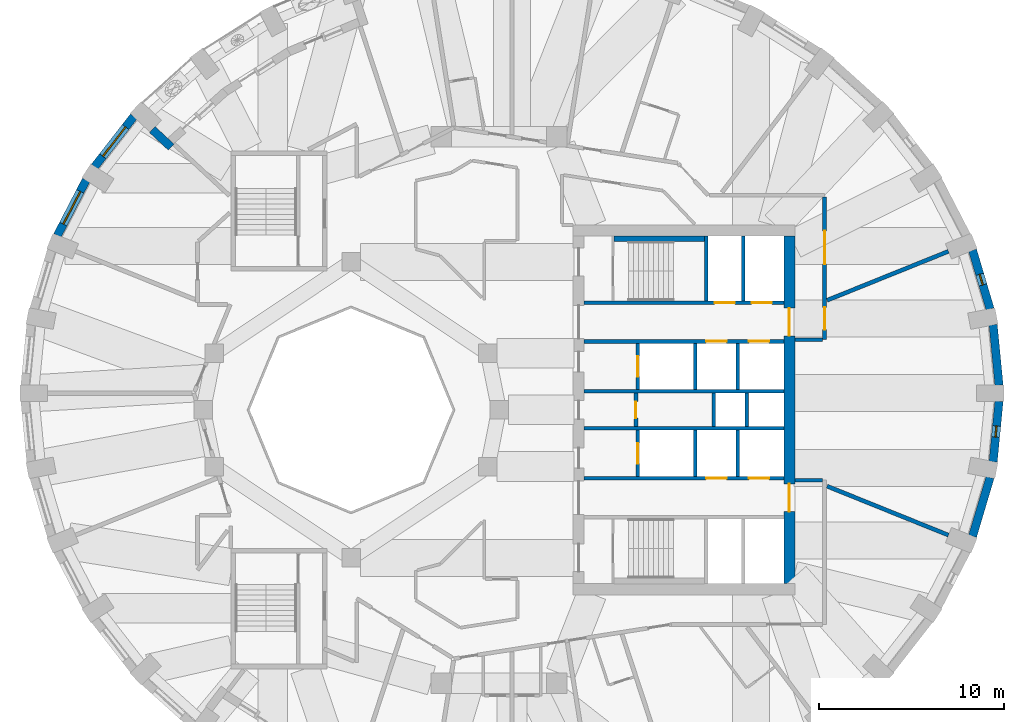
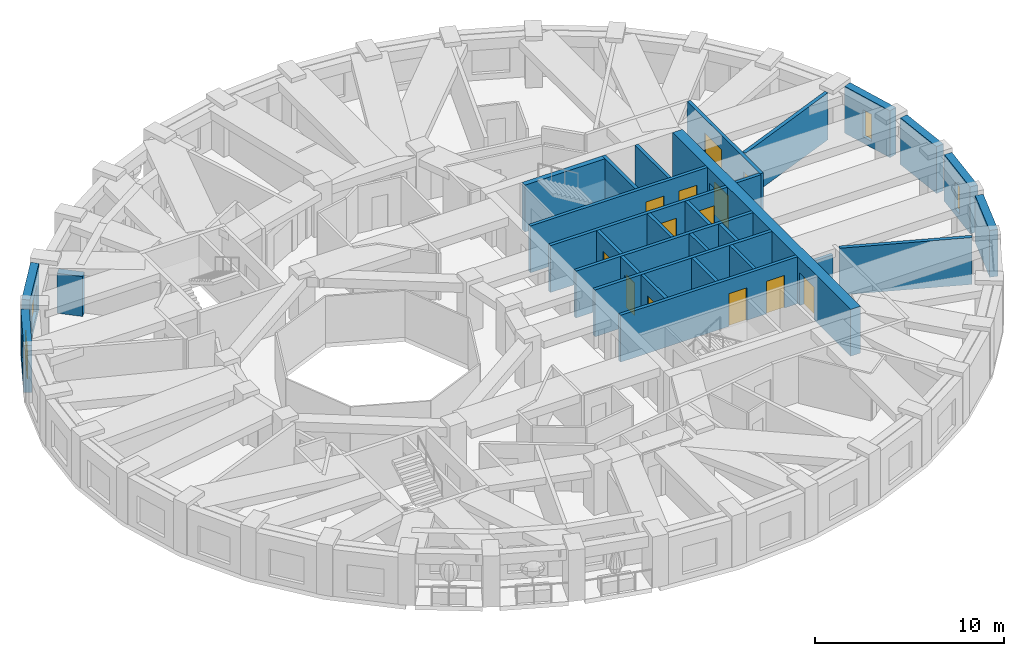
# One storey, part 6 of 12: 30 walls, 13 doors, 4 windows, 17 openings.
"""IFC4 building model written with IfcOpenShell, lengths in metres."""

from ifc_helpers import new_model, si_unit, direction, frame, frame_2d, origin, place, context, subcontext, project, spatial, rectangle, extrude, material, layer, layer_set, type_object, element, fill, save


model = new_model("IFC4")

# Units and contexts
model_context = context("Model", 3, precision=1e-05, world=origin(), true_north=direction((0.0, 1.0)))
body_context = subcontext(model_context, "Body", "Model", "MODEL_VIEW")
ifc_project = project(units=[si_unit("LENGTHUNIT", "METRE"), si_unit("AREAUNIT", "SQUARE_METRE"), si_unit("VOLUMEUNIT", "CUBIC_METRE"), si_unit("PLANEANGLEUNIT", "RADIAN"), si_unit("MASSUNIT", "GRAM", prefix="KILO")], contexts=[model_context])

# Site, building, storey
site_placement = place(None, origin())
site = spatial("IfcSite", under=ifc_project, at=site_placement, CompositionType="ELEMENT")
building_placement = place(site_placement, origin())
building = spatial("IfcBuilding", under=site, at=building_placement, Name="Taillehof Tower", CompositionType="ELEMENT")
storey_placement = place(building_placement, frame((0.0, 0.0, 209.0)))
storey = spatial("IfcBuildingStorey", under=building, at=storey_placement, Name="L59", CompositionType="ELEMENT", Elevation=209.0)

# Wall
ifc_material_1 = material(Name="Brick masonry", Category="masonry")
ifc_layer_1 = layer(ifc_material_1, 0.449951171875)
ifc_layer_set_1 = layer_set([ifc_layer_1], Name="Brick infill wall 450")
wall_type_1 = type_object("IfcWallType", Name="Brick infill wall 450", PredefinedType="SOLIDWALL", material=ifc_layer_set_1)
wall_1_placement = place(storey_placement, frame((27.0322265625, 1.330078125, 0.0), z_axis=(0.0, 0.0, 1.0), x_axis=(-0.096824116835, 0.995301507283, 0.0)))
element("IfcWall", 1, at=wall_1_placement, inside=storey, type_object=wall_type_1, Name="Brick wall L59 bay 1", PredefinedType="SOLIDWALL", context=body_context, shape_type="SweptSolid", body=[
    extrude(rectangle(XDim=3.29296875, YDim=0.449951171875, at=frame_2d((1.646484375, 0.0))), origin(), (0.0, 0.0, 1.0), 3.02001953125),
])

# Wall, opening, window
wall_2_placement = place(storey_placement, frame((26.548095703125, 5.451904296875, 0.0), z_axis=(0.0, 0.0, 1.0), x_axis=(-0.285444972963, 0.958395099847, 0.0)))
wall_2 = element("IfcWall", 2, at=wall_2_placement, inside=storey, type_object=wall_type_1, Name="Brick wall L59 bay 2", PredefinedType="SOLIDWALL", context=body_context, shape_type="SweptSolid", body=[
    extrude(rectangle(XDim=3.3203125, YDim=0.449951171875, at=frame_2d((1.66015625, 0.0))), origin(), (0.0, 0.0, 1.0), 3.02001953125),
])
opening_1_placement = place(wall_2_placement, frame((1.360107421875, 0.0, 0.39990234375)))
opening_1 = element("IfcOpeningElement", 3, at=opening_1_placement, cuts=wall_2, Name="Opening W6", PredefinedType="OPENING", context=body_context, shape_type="SweptSolid", body=[
    extrude(rectangle(XDim=0.60009765625, YDim=1.75, at=frame_2d((0.300048828125, 0.875))), frame((0.0, 0.23486328125, 0.0), z_axis=(0.0, -1.0, 0.0), x_axis=(1.0, 0.0, 0.0)), (0.0, 0.0, 1.0), 0.469970703125),
])
ifc_material_2 = material(Name="Aluminium window frame with clear double glazing", Category="aluminium")
window_type_1 = type_object("IfcWindowType", Name="Slot window 600x1750", PartitioningType="SINGLE_PANEL", PredefinedType="WINDOW", material=ifc_material_2)
window_1_placement = place(opening_1_placement, origin())
window_1 = element("IfcWindow", 4, at=window_1_placement, inside=storey, type_object=window_type_1, Name="W6", OverallHeight=1.75, OverallWidth=0.60009765625, PartitioningType="SINGLE_PANEL", PredefinedType="WINDOW", context=body_context, shape_type="SweptSolid", body=[
    extrude(rectangle(XDim=0.60009765625, YDim=1.75, at=frame_2d((0.300048828125, 0.875))), frame((0.0, 0.034912109375, 0.0), z_axis=(0.0, -1.0, 0.0), x_axis=(1.0, 0.0, 0.0)), (0.0, 0.0, 1.0), 0.06005859375),
])
fill(opening_1, window_1)

wall_3_placement = place(storey_placement, frame((-19.751220703125, 15.861083984375, 0.0), z_axis=(0.0, 0.0, 1.0), x_axis=(-0.614220816451, -0.789134201919, 0.0)))
wall_3 = element("IfcWall", 5, at=wall_3_placement, inside=storey, type_object=wall_type_1, Name="Brick wall L59 bay 15", PredefinedType="SOLIDWALL", context=body_context, shape_type="SweptSolid", body=[
    extrude(rectangle(XDim=3.437744140625, YDim=0.449951171875, at=frame_2d((1.71875, 0.0))), origin(), (0.0, 0.0, 1.0), 3.02001953125),
])
opening_2_placement = place(wall_3_placement, frame((0.71875, 0.0, 0.39990234375)))
opening_2 = element("IfcOpeningElement", 6, at=opening_2_placement, cuts=wall_3, Name="Opening W2", PredefinedType="OPENING", context=body_context, shape_type="SweptSolid", body=[
    extrude(rectangle(XDim=2.0, YDim=1.75, at=frame_2d((1.0, 0.875))), frame((0.0, 0.23486328125, 0.0), z_axis=(0.0, -1.0, 0.0), x_axis=(1.0, 0.0, 0.0)), (0.0, 0.0, 1.0), 0.469970703125),
])
ifc_material_3 = material(Name="Aluminium window frame with clear double glazing", Category="aluminium")
window_type_2 = type_object("IfcWindowType", Name="Deep-set window 2000x1750", PartitioningType="SINGLE_PANEL", PredefinedType="WINDOW", material=ifc_material_3)
window_2_placement = place(opening_2_placement, origin())
window_2 = element("IfcWindow", 7, at=window_2_placement, inside=storey, type_object=window_type_2, Name="W2", OverallHeight=1.75, OverallWidth=2.0, PartitioningType="SINGLE_PANEL", PredefinedType="WINDOW", context=body_context, shape_type="SweptSolid", body=[
    extrude(rectangle(XDim=2.0, YDim=1.75, at=frame_2d((1.0, 0.875))), frame((0.0, 0.034912109375, 0.0), z_axis=(0.0, -1.0, 0.0), x_axis=(1.0, 0.0, 0.0)), (0.0, 0.0, 1.0), 0.06005859375),
])
fill(opening_2, window_2)

wall_4_placement = place(storey_placement, frame((-22.326904296875, 12.424072265625, 0.0), z_axis=(0.0, 0.0, 1.0), x_axis=(-0.460232593174, -0.887798378113, 0.0)))
wall_4 = element("IfcWall", 8, at=wall_4_placement, inside=storey, type_object=wall_type_1, Name="Brick wall L59 bay 16", PredefinedType="SOLIDWALL", context=body_context, shape_type="SweptSolid", body=[
    extrude(rectangle(XDim=3.37060546875, YDim=0.449951171875, at=frame_2d((1.685302734375, 0.0))), origin(), (0.0, 0.0, 1.0), 3.02001953125),
])
opening_3_placement = place(wall_4_placement, frame((0.685302734375, 0.0, 0.39990234375)))
opening_3 = element("IfcOpeningElement", 9, at=opening_3_placement, cuts=wall_4, Name="Opening W2", PredefinedType="OPENING", context=body_context, shape_type="SweptSolid", body=[
    extrude(rectangle(XDim=2.0, YDim=1.75, at=frame_2d((1.0, 0.875))), frame((0.0, 0.23486328125, 0.0), z_axis=(0.0, -1.0, 0.0), x_axis=(1.0, 0.0, 0.0)), (0.0, 0.0, 1.0), 0.469970703125),
])
window_3_placement = place(opening_3_placement, origin())
window_3 = element("IfcWindow", 10, at=window_3_placement, inside=storey, type_object=window_type_2, Name="W2", OverallHeight=1.75, OverallWidth=2.0, PartitioningType="SINGLE_PANEL", PredefinedType="WINDOW", context=body_context, shape_type="SweptSolid", body=[
    extrude(rectangle(XDim=2.0, YDim=1.75, at=frame_2d((1.0, 0.875))), frame((0.0, 0.034912109375, 0.0), z_axis=(0.0, -1.0, 0.0), x_axis=(1.0, 0.0, 0.0)), (0.0, 0.0, 1.0), 0.06005859375),
])
fill(opening_3, window_3)

# Wall
wall_5_placement = place(storey_placement, frame((25.600341796875, -6.833984375, 0.0), z_axis=(0.0, 0.0, 1.0), x_axis=(0.285444972963, 0.958395099847, 0.0)))
element("IfcWall", 11, at=wall_5_placement, inside=storey, type_object=wall_type_1, Name="Brick wall L59 bay 35", PredefinedType="SOLIDWALL", context=body_context, shape_type="SweptSolid", body=[
    extrude(rectangle(XDim=3.3203125, YDim=0.449951171875, at=frame_2d((1.66015625, 0.0))), origin(), (0.0, 0.0, 1.0), 3.02001953125),
])

# Wall, opening, window
wall_6_placement = place(storey_placement, frame((26.71337890625, -2.807861328125, 0.0), z_axis=(0.0, 0.0, 1.0), x_axis=(0.096816972749, 0.995302202242, 0.0)))
wall_6 = element("IfcWall", 12, at=wall_6_placement, inside=storey, type_object=wall_type_1, Name="Brick wall L59 bay 36", PredefinedType="SOLIDWALL", context=body_context, shape_type="SweptSolid", body=[
    extrude(rectangle(XDim=3.293212890625, YDim=0.449951171875, at=frame_2d((1.646484375, 0.0))), origin(), (0.0, 0.0, 1.0), 3.02001953125),
])
opening_4_placement = place(wall_6_placement, frame((1.3466796875, 0.0, 0.39990234375)))
opening_4 = element("IfcOpeningElement", 13, at=opening_4_placement, cuts=wall_6, Name="Opening W6", PredefinedType="OPENING", context=body_context, shape_type="SweptSolid", body=[
    extrude(rectangle(XDim=0.60009765625, YDim=1.75, at=frame_2d((0.300048828125, 0.875))), frame((0.0, 0.23486328125, 0.0), z_axis=(0.0, -1.0, 0.0), x_axis=(1.0, 0.0, 0.0)), (0.0, 0.0, 1.0), 0.469970703125),
])
window_4_placement = place(opening_4_placement, origin())
window_4 = element("IfcWindow", 14, at=window_4_placement, inside=storey, type_object=window_type_1, Name="W6", OverallHeight=1.75, OverallWidth=0.60009765625, PartitioningType="SINGLE_PANEL", PredefinedType="WINDOW", context=body_context, shape_type="SweptSolid", body=[
    extrude(rectangle(XDim=0.60009765625, YDim=1.75, at=frame_2d((0.300048828125, 0.875))), frame((0.0, 0.034912109375, 0.0), z_axis=(0.0, -1.0, 0.0), x_axis=(1.0, 0.0, 0.0)), (0.0, 0.0, 1.0), 0.06005859375),
])
fill(opening_4, window_4)

# Wall
wall_7_placement = place(storey_placement, frame((-18.7470703125, 15.15478515625, 0.0), z_axis=(0.0, 0.0, 1.0), x_axis=(0.732349544388, -0.680928883831, 0.0)))
element("IfcWall", 15, at=wall_7_placement, inside=storey, type_object=wall_type_1, Name="Brick reveal L59 pocket 3", PredefinedType="SOLIDWALL", context=body_context, shape_type="SweptSolid", body=[
    extrude(rectangle(XDim=1.39111328125, YDim=0.449951171875, at=frame_2d((0.695556640625, 0.0))), origin(), (0.0, 0.0, 1.0), 2.570068359375),
])

# Wall, opening, door
ifc_material_4 = material(Name="Calcium silicate masonry", Category="masonry")
ifc_layer_2 = layer(ifc_material_4, 0.199951171875)
ifc_layer_set_2 = layer_set([ifc_layer_2], Name="Compartment wall calcium silicate 200")
wall_type_2 = type_object("IfcWallType", Name="Compartment wall calcium silicate 200", PredefinedType="PARTITIONING", material=ifc_layer_set_2)
wall_8_placement = place(storey_placement, frame((7.39990234375, -0.89990234375, 0.0), z_axis=(0.0, 0.0, 1.0), x_axis=(0.0, 1.0, 0.0)))
wall_8 = element("IfcWall", 16, at=wall_8_placement, inside=storey, type_object=wall_type_2, Name="Compartment wall FW", PredefinedType="PARTITIONING", context=body_context, shape_type="SweptSolid", body=[
    extrude(rectangle(XDim=1.7998046875, YDim=0.199951171875, at=frame_2d((0.89990234375, 0.0))), origin(), (0.0, 0.0, 1.0), 3.02001953125),
])
opening_5_placement = place(wall_8_placement, frame((0.449951171875, 0.0, 0.0)))
opening_5 = element("IfcOpeningElement", 17, at=opening_5_placement, cuts=wall_8, Name="Opening D5914", PredefinedType="OPENING", context=body_context, shape_type="SweptSolid", body=[
    extrude(rectangle(XDim=0.89990234375, YDim=2.10009765625, at=frame_2d((0.449951171875, 1.050048828125))), frame((0.0, 0.10986328125, 0.0), z_axis=(0.0, -1.0, 0.0), x_axis=(1.0, 0.0, 0.0)), (0.0, 0.0, 1.0), 0.219970703125),
])
ifc_material_5 = material(Name="Steel-faced fire door", Category="steel")
door_type_1 = type_object("IfcDoorType", Name="Riser and service room door 900x2100", OperationType="SINGLE_SWING_LEFT", PredefinedType="DOOR", material=ifc_material_5)
door_1_placement = place(opening_5_placement, origin())
door_1 = element("IfcDoor", 18, at=door_1_placement, inside=storey, type_object=door_type_1, Name="Door Comms Room", OperationType="SINGLE_SWING_RIGHT", OverallHeight=2.10009765625, OverallWidth=0.89990234375, PredefinedType="DOOR", context=body_context, shape_type="SweptSolid", body=[
    extrude(rectangle(XDim=0.89990234375, YDim=2.10009765625, at=frame_2d((0.449951171875, 1.050048828125))), frame((0.0, 0.02490234375, 0.0), z_axis=(0.0, -1.0, 0.0), x_axis=(1.0, 0.0, 0.0)), (0.0, 0.0, 1.0), 0.050048828125),
])
fill(opening_5, door_1)

# Walls
for number, where, z_axis, x_axis, name in (
    (19, (11.60009765625, -0.89990234375, 0.0), (0.0, 0.0, 1.0), (0.0, 1.0, 0.0), "Compartment wall FW"),
    (20, (13.39990234375, -0.89990234375, 0.0), (0.0, 0.0, 1.0), (0.0, 1.0, 0.0), "Compartment wall FW"),
):
    element("IfcWall", number, at=place(storey_placement, frame(where, z_axis=z_axis, x_axis=x_axis)), inside=storey, type_object=wall_type_2, Name=name, PredefinedType="PARTITIONING", context=body_context, shape_type="SweptSolid", body=[
        extrude(rectangle(XDim=1.7998046875, YDim=0.199951171875, at=frame_2d((0.89990234375, 0.0))), origin(), (0.0, 0.0, 1.0), 3.02001953125),
    ])

# Wall, openings, doors
ifc_material_6 = material(Name="Gypsum board on steel studs, two layers each side", Category="steel")
ifc_layer_3 = layer(ifc_material_6, 0.199951171875)
ifc_layer_set_3 = layer_set([ifc_layer_3], Name="Compartment wall corridor 200")
wall_type_3 = type_object("IfcWallType", Name="Compartment wall corridor 200", PredefinedType="PARTITIONING", material=ifc_layer_set_3)
wall_9_placement = place(storey_placement, frame((17.60009765625, 11.5, 0.0), z_axis=(0.0, 0.0, 1.0), x_axis=(0.0, -1.0, 0.0)))
wall_9 = element("IfcWall", 21, at=wall_9_placement, inside=storey, type_object=wall_type_3, Name="Compartment wall", PredefinedType="PARTITIONING", context=body_context, shape_type="SweptSolid", body=[
    extrude(rectangle(XDim=7.699951171875, YDim=0.199951171875, at=frame_2d((3.85009765625, 0.0))), origin(), (0.0, 0.0, 1.0), 3.02001953125),
])
opening_6_placement = place(wall_9_placement, frame((5.959228515625, 0.0, 0.0)))
opening_6 = element("IfcOpeningElement", 22, at=opening_6_placement, cuts=wall_9, Name="Opening D5963", PredefinedType="OPENING", context=body_context, shape_type="SweptSolid", body=[
    extrude(rectangle(XDim=1.199951171875, YDim=2.10009765625, at=frame_2d((0.60009765625, 1.050048828125))), frame((0.0, 0.10986328125, 0.0), z_axis=(0.0, -1.0, 0.0), x_axis=(1.0, 0.0, 0.0)), (0.0, 0.0, 1.0), 0.219970703125),
])
opening_7_placement = place(wall_9_placement, frame((1.8154296875, 0.0, 0.0)))
opening_7 = element("IfcOpeningElement", 23, at=opening_7_placement, cuts=wall_9, Name="Opening D5964", PredefinedType="OPENING", context=body_context, shape_type="SweptSolid", body=[
    extrude(rectangle(XDim=1.800048828125, YDim=2.10009765625, at=frame_2d((0.89990234375, 1.050048828125))), frame((0.0, 0.10986328125, 0.0), z_axis=(0.0, -1.0, 0.0), x_axis=(1.0, 0.0, 0.0)), (0.0, 0.0, 1.0), 0.219970703125),
])
ifc_material_7 = material(Name="Timber door leaf in steel frame", Category="steel")
door_type_2 = type_object("IfcDoorType", Name="Lounge and meeting room double door EI 30 1800 x 2100", OperationType="SINGLE_SWING_LEFT", PredefinedType="DOOR", material=ifc_material_7)
door_2_placement = place(opening_7_placement, origin())
door_2 = element("IfcDoor", 24, at=door_2_placement, inside=storey, type_object=door_type_2, Name="D5964", OperationType="DOUBLE_DOOR_SINGLE_SWING", OverallHeight=2.10009765625, OverallWidth=1.800048828125, PredefinedType="DOOR", context=body_context, shape_type="SweptSolid", body=[
    extrude(rectangle(XDim=1.800048828125, YDim=2.10009765625, at=frame_2d((0.89990234375, 1.050048828125))), frame((0.0, 0.02490234375, 0.0), z_axis=(0.0, -1.0, 0.0), x_axis=(1.0, 0.0, 0.0)), (0.0, 0.0, 1.0), 0.050048828125),
])
fill(opening_7, door_2)
ifc_material_8 = material(Name="Timber door leaf in steel frame", Category="steel")
door_type_3 = type_object("IfcDoorType", Name="Suite entrance door EI 30 1200 x 2100", OperationType="SINGLE_SWING_LEFT", PredefinedType="DOOR", material=ifc_material_8)
door_3_placement = place(opening_6_placement, origin())
door_3 = element("IfcDoor", 25, at=door_3_placement, inside=storey, type_object=door_type_3, Name="D5963", OperationType="SINGLE_SWING_LEFT", OverallHeight=2.10009765625, OverallWidth=1.199951171875, PredefinedType="DOOR", context=body_context, shape_type="SweptSolid", body=[
    extrude(rectangle(XDim=1.199951171875, YDim=2.10009765625, at=frame_2d((0.60009765625, 1.050048828125))), frame((0.0, 0.02490234375, 0.0), z_axis=(0.0, -1.0, 0.0), x_axis=(1.0, 0.0, 0.0)), (0.0, 0.0, 1.0), 0.050048828125),
])
fill(opening_6, door_3)

# Walls
wall_10_placement = place(storey_placement, frame((17.5, 3.800048828125, 0.0), z_axis=(0.0, 0.0, 1.0), x_axis=(-1.0, 0.0, 0.0)))
element("IfcWall", 26, at=wall_10_placement, inside=storey, type_object=wall_type_3, Name="Compartment wall", PredefinedType="PARTITIONING", context=body_context, shape_type="SweptSolid", body=[
    extrude(rectangle(XDim=1.49609375, YDim=0.199951171875, at=frame_2d((0.748046875, 0.0))), origin(), (0.0, 0.0, 1.0), 3.02001953125),
])
wall_11_placement = place(storey_placement, frame((16.00390625, -3.800048828125, 0.0), z_axis=(0.0, 0.0, 1.0), x_axis=(1.0, 0.0, 0.0)))
element("IfcWall", 27, at=wall_11_placement, inside=storey, type_object=wall_type_3, Name="Compartment wall", PredefinedType="PARTITIONING", context=body_context, shape_type="SweptSolid", body=[
    extrude(rectangle(XDim=1.49609375, YDim=0.199951171875, at=frame_2d((0.748046875, 0.0))), origin(), (0.0, 0.0, 1.0), 2.469970703125),
])
ifc_material_9 = material(Name="Gypsum board on double steel studs with mineral wool", Category="steel")
ifc_layer_4 = layer(ifc_material_9, 0.219970703125)
ifc_layer_set_4 = layer_set([ifc_layer_4], Name="Compartment wall guest room 220")
wall_type_4 = type_object("IfcWallType", Name="Compartment wall guest room 220", PredefinedType="PARTITIONING", material=ifc_layer_set_4)
wall_12_placement = place(storey_placement, frame((24.29541015625, 8.5712890625, 0.0), z_axis=(0.0, 0.0, 1.0), x_axis=(-0.927386999215, -0.374103399728, 0.0)))
element("IfcWall", 28, at=wall_12_placement, inside=storey, type_object=wall_type_4, Name="Compartment wall", PredefinedType="PARTITIONING", context=body_context, shape_type="SweptSolid", body=[
    extrude(rectangle(XDim=7.071533203125, YDim=0.219970703125, at=frame_2d((3.53564453125, 0.0))), origin(), (0.0, 0.0, 1.0), 3.02001953125),
])
wall_13_placement = place(storey_placement, frame((24.29541015625, -6.771484375, 0.0), z_axis=(0.0, 0.0, 1.0), x_axis=(-0.927375021142, 0.374133091509, 0.0)))
element("IfcWall", 29, at=wall_13_placement, inside=storey, type_object=wall_type_4, Name="Compartment wall", PredefinedType="PARTITIONING", context=body_context, shape_type="SweptSolid", body=[
    extrude(rectangle(XDim=7.07177734375, YDim=0.219970703125, at=frame_2d((3.535888671875, 0.0))), origin(), (0.0, 0.0, 1.0), 3.02001953125),
])
ifc_material_10 = material(Name="Calcium silicate masonry", Category="masonry")
ifc_layer_5 = layer(ifc_material_10, 0.300048828125)
ifc_layer_set_5 = layer_set([ifc_layer_5], Name="Compartment wall lining calcium silicate 300")
wall_type_5 = type_object("IfcWallType", Name="Compartment wall lining calcium silicate 300", PredefinedType="PARTITIONING", material=ifc_layer_set_5)
wall_14_placement = place(storey_placement, frame((6.219970703125, 9.25, 0.0), z_axis=(0.0, 0.0, 1.0), x_axis=(1.0, 0.0, 0.0)))
element("IfcWall", 30, at=wall_14_placement, inside=storey, type_object=wall_type_5, Name="Compartment wall FW", PredefinedType="PARTITIONING", context=body_context, shape_type="SweptSolid", body=[
    extrude(rectangle(XDim=4.880126953125, YDim=0.300048828125, at=frame_2d((2.43994140625, 0.0))), origin(), (0.0, 0.0, 1.0), 3.02001953125),
])

# Wall, openings, doors
ifc_material_11 = material(Name="Concrete C80/95", Category="concrete")
ifc_layer_6 = layer(ifc_material_11, 0.60009765625)
ifc_layer_set_6 = layer_set([ifc_layer_6], Name="Core wall C80/95 600")
wall_type_6 = type_object("IfcWallType", Name="Core wall C80/95 600", PredefinedType="SHEAR", material=ifc_layer_set_6)
wall_15_placement = place(storey_placement, frame((15.699951171875, -9.39990234375, 0.0), z_axis=(0.0, 0.0, 1.0), x_axis=(0.0, 1.0, 0.0)))
wall_15 = element("IfcWall", 31, at=wall_15_placement, inside=storey, type_object=wall_type_6, Name="Core wall CW05", PredefinedType="SHEAR", context=body_context, shape_type="SweptSolid", body=[
    extrude(rectangle(XDim=18.7998046875, YDim=0.60009765625, at=frame_2d((9.39990234375, 0.0))), origin(), (0.0, 0.0, 1.0), 3.02001953125),
])
opening_8_placement = place(wall_15_placement, frame((13.39990234375, 0.0, 0.0)))
opening_8 = element("IfcOpeningElement", 32, at=opening_8_placement, cuts=wall_15, Name="Opening D5908", PredefinedType="OPENING", context=body_context, shape_type="SweptSolid", body=[
    extrude(rectangle(XDim=1.5, YDim=2.10009765625, at=frame_2d((0.75, 1.050048828125))), frame((0.0, 0.31005859375, 0.0), z_axis=(0.0, -1.0, 0.0), x_axis=(1.0, 0.0, 0.0)), (0.0, 0.0, 1.0), 0.6201171875),
])
opening_9_placement = place(wall_15_placement, frame((3.89990234375, 0.0, 0.0)))
opening_9 = element("IfcOpeningElement", 33, at=opening_9_placement, cuts=wall_15, Name="Opening D5909", PredefinedType="OPENING", context=body_context, shape_type="SweptSolid", body=[
    extrude(rectangle(XDim=1.5, YDim=2.10009765625, at=frame_2d((0.75, 1.050048828125))), frame((0.0, 0.31005859375, 0.0), z_axis=(0.0, -1.0, 0.0), x_axis=(1.0, 0.0, 0.0)), (0.0, 0.0, 1.0), 0.6201171875),
])
ifc_material_12 = material(Name="Steel-faced fire door", Category="steel")
door_type_4 = type_object("IfcDoorType", Name="Lift lobby east door 1500x2100", OperationType="DOUBLE_DOOR_SINGLE_SWING", PredefinedType="DOOR", material=ifc_material_12)
door_4_placement = place(opening_8_placement, origin())
door_4 = element("IfcDoor", 34, at=door_4_placement, inside=storey, type_object=door_type_4, Name="Lift lobby east door north", OperationType="DOUBLE_DOOR_SINGLE_SWING", OverallHeight=2.10009765625, OverallWidth=1.5, PredefinedType="DOOR", context=body_context, shape_type="SweptSolid", body=[
    extrude(rectangle(XDim=1.5, YDim=2.10009765625, at=frame_2d((0.75, 1.050048828125))), frame((0.0, 0.02490234375, 0.0), z_axis=(0.0, -1.0, 0.0), x_axis=(1.0, 0.0, 0.0)), (0.0, 0.0, 1.0), 0.050048828125),
])
fill(opening_8, door_4)
door_5_placement = place(opening_9_placement, origin())
door_5 = element("IfcDoor", 35, at=door_5_placement, inside=storey, type_object=door_type_4, Name="Lift lobby east door south", OperationType="DOUBLE_DOOR_SINGLE_SWING", OverallHeight=2.10009765625, OverallWidth=1.5, PredefinedType="DOOR", context=body_context, shape_type="SweptSolid", body=[
    extrude(rectangle(XDim=1.5, YDim=2.10009765625, at=frame_2d((0.75, 1.050048828125))), frame((0.0, 0.02490234375, 0.0), z_axis=(0.0, -1.0, 0.0), x_axis=(1.0, 0.0, 0.0)), (0.0, 0.0, 1.0), 0.050048828125),
])
fill(opening_9, door_5)

ifc_material_13 = material(Name="Concrete C50/60", Category="concrete")
ifc_layer_7 = layer(ifc_material_13, 0.199951171875)
ifc_layer_set_7 = layer_set([ifc_layer_7], Name="Shaft wall C50/60 200")
wall_type_7 = type_object("IfcWallType", Name="Shaft wall C50/60 200", PredefinedType="SHEAR", material=ifc_layer_set_7)
wall_16_placement = place(storey_placement, frame((4.60009765625, 5.800048828125, 0.0), z_axis=(0.0, 0.0, 1.0), x_axis=(1.0, 0.0, 0.0)))
wall_16 = element("IfcWall", 36, at=wall_16_placement, inside=storey, type_object=wall_type_7, Name="Shaft wall SW", PredefinedType="SHEAR", context=body_context, shape_type="SweptSolid", body=[
    extrude(rectangle(XDim=10.7998046875, YDim=0.199951171875, at=frame_2d((5.39990234375, 0.0))), origin(), (0.0, 0.0, 1.0), 3.02001953125),
])
opening_10_placement = place(wall_16_placement, frame((7.050048828125, 0.0, 0.0)))
opening_10 = element("IfcOpeningElement", 37, at=opening_10_placement, cuts=wall_16, Name="Opening LD1", PredefinedType="OPENING", context=body_context, shape_type="SweptSolid", body=[
    extrude(rectangle(XDim=1.10009765625, YDim=2.10009765625, at=frame_2d((0.550048828125, 1.050048828125))), frame((0.0, 0.10986328125, 0.0), z_axis=(0.0, -1.0, 0.0), x_axis=(1.0, 0.0, 0.0)), (0.0, 0.0, 1.0), 0.219970703125),
])
opening_11_placement = place(wall_16_placement, frame((9.050048828125, 0.0, 0.0)))
opening_11 = element("IfcOpeningElement", 38, at=opening_11_placement, cuts=wall_16, Name="Opening LD1", PredefinedType="OPENING", context=body_context, shape_type="SweptSolid", body=[
    extrude(rectangle(XDim=1.10009765625, YDim=2.10009765625, at=frame_2d((0.550048828125, 1.050048828125))), frame((0.0, 0.10986328125, 0.0), z_axis=(0.0, -1.0, 0.0), x_axis=(1.0, 0.0, 0.0)), (0.0, 0.0, 1.0), 0.219970703125),
])
ifc_material_14 = material(Name="Stainless steel", Category="steel")
door_type_5 = type_object("IfcDoorType", Name="Lift landing door LD1 1100x2100", OperationType="DOUBLE_DOOR_SLIDING", PredefinedType="DOOR", material=ifc_material_14)
door_6_placement = place(opening_10_placement, origin())
door_6 = element("IfcDoor", 39, at=door_6_placement, inside=storey, type_object=door_type_5, Name="Landing door HR1", OperationType="DOUBLE_DOOR_SLIDING", OverallHeight=2.10009765625, OverallWidth=1.10009765625, PredefinedType="DOOR", context=body_context, shape_type="SweptSolid", body=[
    extrude(rectangle(XDim=1.10009765625, YDim=2.10009765625, at=frame_2d((0.550048828125, 1.050048828125))), frame((0.0, 0.02490234375, 0.0), z_axis=(0.0, -1.0, 0.0), x_axis=(1.0, 0.0, 0.0)), (0.0, 0.0, 1.0), 0.050048828125),
])
fill(opening_10, door_6)
door_7_placement = place(opening_11_placement, origin())
door_7 = element("IfcDoor", 40, at=door_7_placement, inside=storey, type_object=door_type_5, Name="Landing door HR2", OperationType="DOUBLE_DOOR_SLIDING", OverallHeight=2.10009765625, OverallWidth=1.10009765625, PredefinedType="DOOR", context=body_context, shape_type="SweptSolid", body=[
    extrude(rectangle(XDim=1.10009765625, YDim=2.10009765625, at=frame_2d((0.550048828125, 1.050048828125))), frame((0.0, 0.02490234375, 0.0), z_axis=(0.0, -1.0, 0.0), x_axis=(1.0, 0.0, 0.0)), (0.0, 0.0, 1.0), 0.050048828125),
])
fill(opening_11, door_7)

wall_17_placement = place(storey_placement, frame((4.60009765625, 3.699951171875, 0.0), z_axis=(0.0, 0.0, 1.0), x_axis=(1.0, 0.0, 0.0)))
wall_17 = element("IfcWall", 41, at=wall_17_placement, inside=storey, type_object=wall_type_7, Name="Shaft wall SW", PredefinedType="SHEAR", context=body_context, shape_type="SweptSolid", body=[
    extrude(rectangle(XDim=10.7998046875, YDim=0.199951171875, at=frame_2d((5.39990234375, 0.0))), origin(), (0.0, 0.0, 1.0), 3.02001953125),
])
opening_12_placement = place(wall_17_placement, frame((6.60009765625, 0.0, 0.0)))
opening_12 = element("IfcOpeningElement", 42, at=opening_12_placement, cuts=wall_17, Name="Opening LD1", PredefinedType="OPENING", context=body_context, shape_type="SweptSolid", body=[
    extrude(rectangle(XDim=1.10009765625, YDim=2.10009765625, at=frame_2d((0.550048828125, 1.050048828125))), frame((0.0, 0.10986328125, 0.0), z_axis=(0.0, -1.0, 0.0), x_axis=(1.0, 0.0, 0.0)), (0.0, 0.0, 1.0), 0.219970703125),
])
opening_13_placement = place(wall_17_placement, frame((8.89990234375, 0.0, 0.0)))
opening_13 = element("IfcOpeningElement", 43, at=opening_13_placement, cuts=wall_17, Name="Opening LD1", PredefinedType="OPENING", context=body_context, shape_type="SweptSolid", body=[
    extrude(rectangle(XDim=1.10009765625, YDim=2.10009765625, at=frame_2d((0.550048828125, 1.050048828125))), frame((0.0, 0.10986328125, 0.0), z_axis=(0.0, -1.0, 0.0), x_axis=(1.0, 0.0, 0.0)), (0.0, 0.0, 1.0), 0.219970703125),
])
door_8_placement = place(opening_12_placement, origin())
door_8 = element("IfcDoor", 44, at=door_8_placement, inside=storey, type_object=door_type_5, Name="Landing door HR3", OperationType="DOUBLE_DOOR_SLIDING", OverallHeight=2.10009765625, OverallWidth=1.10009765625, PredefinedType="DOOR", context=body_context, shape_type="SweptSolid", body=[
    extrude(rectangle(XDim=1.10009765625, YDim=2.10009765625, at=frame_2d((0.550048828125, 1.050048828125))), frame((0.0, 0.02490234375, 0.0), z_axis=(0.0, -1.0, 0.0), x_axis=(1.0, 0.0, 0.0)), (0.0, 0.0, 1.0), 0.050048828125),
])
fill(opening_12, door_8)
door_9_placement = place(opening_13_placement, origin())
door_9 = element("IfcDoor", 45, at=door_9_placement, inside=storey, type_object=door_type_5, Name="Landing door HR4", OperationType="DOUBLE_DOOR_SLIDING", OverallHeight=2.10009765625, OverallWidth=1.10009765625, PredefinedType="DOOR", context=body_context, shape_type="SweptSolid", body=[
    extrude(rectangle(XDim=1.10009765625, YDim=2.10009765625, at=frame_2d((0.550048828125, 1.050048828125))), frame((0.0, 0.02490234375, 0.0), z_axis=(0.0, -1.0, 0.0), x_axis=(1.0, 0.0, 0.0)), (0.0, 0.0, 1.0), 0.050048828125),
])
fill(opening_13, door_9)

# Walls
for number, where, z_axis, x_axis, name in (
    (46, (4.60009765625, 1.0, 0.0), (0.0, 0.0, 1.0), (1.0, 0.0, 0.0), "Shaft wall SW"),
    (47, (4.60009765625, -1.0, 0.0), (0.0, 0.0, 1.0), (1.0, 0.0, 0.0), "Shaft wall SW"),
):
    element("IfcWall", number, at=place(storey_placement, frame(where, z_axis=z_axis, x_axis=x_axis)), inside=storey, type_object=wall_type_7, Name=name, PredefinedType="SHEAR", context=body_context, shape_type="SweptSolid", body=[
        extrude(rectangle(XDim=10.7998046875, YDim=0.199951171875, at=frame_2d((5.39990234375, 0.0))), origin(), (0.0, 0.0, 1.0), 3.02001953125),
    ])

# Wall, openings, doors
wall_18_placement = place(storey_placement, frame((4.60009765625, -3.699951171875, 0.0), z_axis=(0.0, 0.0, 1.0), x_axis=(1.0, 0.0, 0.0)))
wall_18 = element("IfcWall", 48, at=wall_18_placement, inside=storey, type_object=wall_type_7, Name="Shaft wall SW", PredefinedType="SHEAR", context=body_context, shape_type="SweptSolid", body=[
    extrude(rectangle(XDim=10.7998046875, YDim=0.199951171875, at=frame_2d((5.39990234375, 0.0))), origin(), (0.0, 0.0, 1.0), 3.02001953125),
])
opening_14_placement = place(wall_18_placement, frame((6.60009765625, 0.0, 0.0)))
opening_14 = element("IfcOpeningElement", 49, at=opening_14_placement, cuts=wall_18, Name="Opening LD1", PredefinedType="OPENING", context=body_context, shape_type="SweptSolid", body=[
    extrude(rectangle(XDim=1.10009765625, YDim=2.10009765625, at=frame_2d((0.550048828125, 1.050048828125))), frame((0.0, 0.10986328125, 0.0), z_axis=(0.0, -1.0, 0.0), x_axis=(1.0, 0.0, 0.0)), (0.0, 0.0, 1.0), 0.219970703125),
])
opening_15_placement = place(wall_18_placement, frame((8.89990234375, 0.0, 0.0)))
opening_15 = element("IfcOpeningElement", 50, at=opening_15_placement, cuts=wall_18, Name="Opening LD1", PredefinedType="OPENING", context=body_context, shape_type="SweptSolid", body=[
    extrude(rectangle(XDim=1.10009765625, YDim=2.10009765625, at=frame_2d((0.550048828125, 1.050048828125))), frame((0.0, 0.10986328125, 0.0), z_axis=(0.0, -1.0, 0.0), x_axis=(1.0, 0.0, 0.0)), (0.0, 0.0, 1.0), 0.219970703125),
])
door_10_placement = place(opening_14_placement, origin())
door_10 = element("IfcDoor", 51, at=door_10_placement, inside=storey, type_object=door_type_5, Name="Landing door HR5", OperationType="DOUBLE_DOOR_SLIDING", OverallHeight=2.10009765625, OverallWidth=1.10009765625, PredefinedType="DOOR", context=body_context, shape_type="SweptSolid", body=[
    extrude(rectangle(XDim=1.10009765625, YDim=2.10009765625, at=frame_2d((0.550048828125, 1.050048828125))), frame((0.0, 0.02490234375, 0.0), z_axis=(0.0, -1.0, 0.0), x_axis=(1.0, 0.0, 0.0)), (0.0, 0.0, 1.0), 0.050048828125),
])
fill(opening_14, door_10)
door_11_placement = place(opening_15_placement, origin())
door_11 = element("IfcDoor", 52, at=door_11_placement, inside=storey, type_object=door_type_5, Name="Landing door HR6", OperationType="DOUBLE_DOOR_SLIDING", OverallHeight=2.10009765625, OverallWidth=1.10009765625, PredefinedType="DOOR", context=body_context, shape_type="SweptSolid", body=[
    extrude(rectangle(XDim=1.10009765625, YDim=2.10009765625, at=frame_2d((0.550048828125, 1.050048828125))), frame((0.0, 0.02490234375, 0.0), z_axis=(0.0, -1.0, 0.0), x_axis=(1.0, 0.0, 0.0)), (0.0, 0.0, 1.0), 0.050048828125),
])
fill(opening_15, door_11)

# Walls
for number, where, z_axis, x_axis, name in (
    (53, (11.199951171875, 5.89990234375, 0.0), (0.0, 0.0, 1.0), (0.0, 1.0, 0.0), "Shaft wall SW"),
    (54, (13.199951171875, 5.89990234375, 0.0), (0.0, 0.0, 1.0), (0.0, 1.0, 0.0), "Shaft wall SW"),
):
    element("IfcWall", number, at=place(storey_placement, frame(where, z_axis=z_axis, x_axis=x_axis)), inside=storey, type_object=wall_type_7, Name=name, PredefinedType="SHEAR", context=body_context, shape_type="SweptSolid", body=[
        extrude(rectangle(XDim=3.5, YDim=0.199951171875, at=frame_2d((1.75, 0.0))), origin(), (0.0, 0.0, 1.0), 3.02001953125),
    ])

# Wall, opening, door
wall_19_placement = place(storey_placement, frame((7.5, 1.10009765625, 0.0), z_axis=(0.0, 0.0, 1.0), x_axis=(0.0, 1.0, 0.0)))
wall_19 = element("IfcWall", 55, at=wall_19_placement, inside=storey, type_object=wall_type_7, Name="Shaft wall SW", PredefinedType="SHEAR", context=body_context, shape_type="SweptSolid", body=[
    extrude(rectangle(XDim=2.5, YDim=0.199951171875, at=frame_2d((1.25, 0.0))), origin(), (0.0, 0.0, 1.0), 3.02001953125),
])
opening_16_placement = place(wall_19_placement, frame((0.699951171875, 0.0, 0.0)))
opening_16 = element("IfcOpeningElement", 56, at=opening_16_placement, cuts=wall_19, Name="Opening LD1", PredefinedType="OPENING", context=body_context, shape_type="SweptSolid", body=[
    extrude(rectangle(XDim=1.10009765625, YDim=2.10009765625, at=frame_2d((0.550048828125, 1.050048828125))), frame((0.0, 0.10986328125, 0.0), z_axis=(0.0, -1.0, 0.0), x_axis=(1.0, 0.0, 0.0)), (0.0, 0.0, 1.0), 0.219970703125),
])
door_12_placement = place(opening_16_placement, origin())
door_12 = element("IfcDoor", 57, at=door_12_placement, inside=storey, type_object=door_type_5, Name="Landing door FF1", OperationType="DOUBLE_DOOR_SLIDING", OverallHeight=2.10009765625, OverallWidth=1.10009765625, PredefinedType="DOOR", context=body_context, shape_type="SweptSolid", body=[
    extrude(rectangle(XDim=1.10009765625, YDim=2.10009765625, at=frame_2d((0.550048828125, 1.050048828125))), frame((0.0, 0.02490234375, 0.0), z_axis=(0.0, -1.0, 0.0), x_axis=(1.0, 0.0, 0.0)), (0.0, 0.0, 1.0), 0.050048828125),
])
fill(opening_16, door_12)

wall_20_placement = place(storey_placement, frame((7.5, -3.60009765625, 0.0), z_axis=(0.0, 0.0, 1.0), x_axis=(0.0, 1.0, 0.0)))
wall_20 = element("IfcWall", 58, at=wall_20_placement, inside=storey, type_object=wall_type_7, Name="Shaft wall SW", PredefinedType="SHEAR", context=body_context, shape_type="SweptSolid", body=[
    extrude(rectangle(XDim=2.5, YDim=0.199951171875, at=frame_2d((1.25, 0.0))), origin(), (0.0, 0.0, 1.0), 3.02001953125),
])
opening_17_placement = place(wall_20_placement, frame((0.699951171875, 0.0, 0.0)))
opening_17 = element("IfcOpeningElement", 59, at=opening_17_placement, cuts=wall_20, Name="Opening LD1", PredefinedType="OPENING", context=body_context, shape_type="SweptSolid", body=[
    extrude(rectangle(XDim=1.10009765625, YDim=2.10009765625, at=frame_2d((0.550048828125, 1.050048828125))), frame((0.0, 0.10986328125, 0.0), z_axis=(0.0, -1.0, 0.0), x_axis=(1.0, 0.0, 0.0)), (0.0, 0.0, 1.0), 0.219970703125),
])
door_13_placement = place(opening_17_placement, origin())
door_13 = element("IfcDoor", 60, at=door_13_placement, inside=storey, type_object=door_type_5, Name="Landing door FF2", OperationType="DOUBLE_DOOR_SLIDING", OverallHeight=2.10009765625, OverallWidth=1.10009765625, PredefinedType="DOOR", context=body_context, shape_type="SweptSolid", body=[
    extrude(rectangle(XDim=1.10009765625, YDim=2.10009765625, at=frame_2d((0.550048828125, 1.050048828125))), frame((0.0, 0.02490234375, 0.0), z_axis=(0.0, -1.0, 0.0), x_axis=(1.0, 0.0, 0.0)), (0.0, 0.0, 1.0), 0.050048828125),
])
fill(opening_17, door_13)

# Walls
for number, where, z_axis, x_axis, name in (
    (61, (10.60009765625, 1.10009765625, 0.0), (0.0, 0.0, 1.0), (0.0, 1.0, 0.0), "Shaft wall SW"),
    (62, (10.60009765625, -3.60009765625, 0.0), (0.0, 0.0, 1.0), (0.0, 1.0, 0.0), "Shaft wall SW"),
    (63, (12.89990234375, 1.10009765625, 0.0), (0.0, 0.0, 1.0), (0.0, 1.0, 0.0), "Shaft wall SW"),
    (64, (12.89990234375, -3.60009765625, 0.0), (0.0, 0.0, 1.0), (0.0, 1.0, 0.0), "Shaft wall SW"),
):
    element("IfcWall", number, at=place(storey_placement, frame(where, z_axis=z_axis, x_axis=x_axis)), inside=storey, type_object=wall_type_7, Name=name, PredefinedType="SHEAR", context=body_context, shape_type="SweptSolid", body=[
        extrude(rectangle(XDim=2.5, YDim=0.199951171875, at=frame_2d((1.25, 0.0))), origin(), (0.0, 0.0, 1.0), 3.02001953125),
    ])

save(model, "model.ifc")
